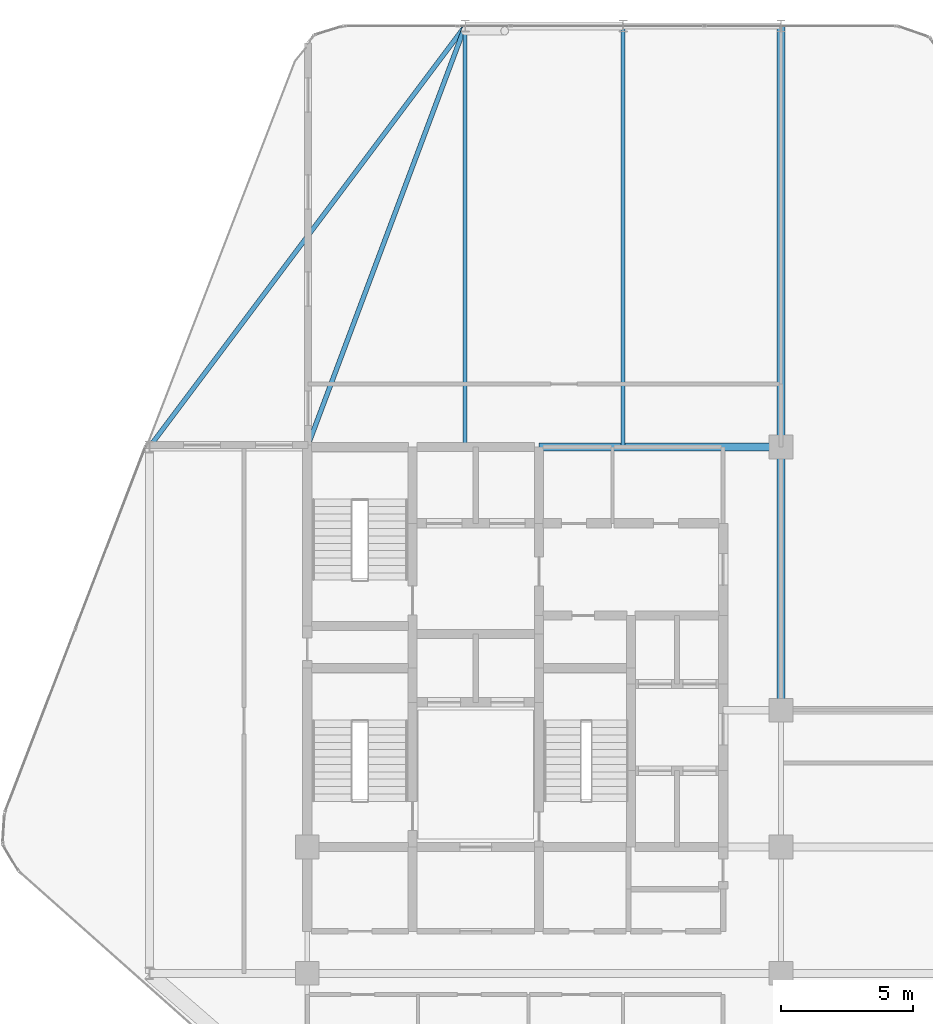
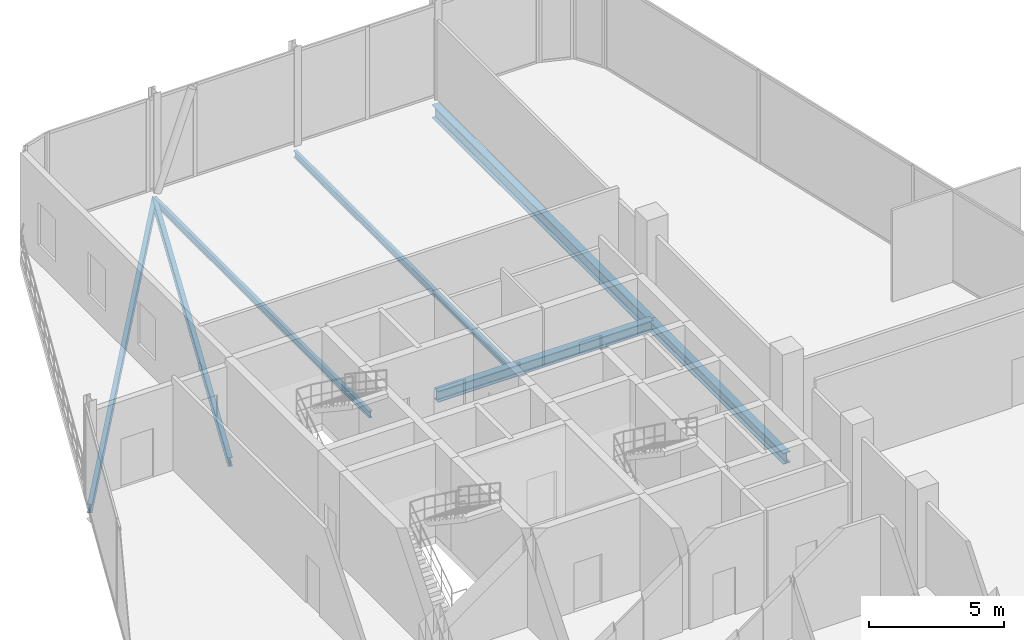
# One storey, part 19 of 31: 7 beams.
"""IFC4 building model written with IfcOpenShell, lengths in metres."""

from ifc_helpers import new_model, si_unit, direction, frame, origin, origin_2d, place, context, subcontext, project, spatial, i_section, extrude, material, material_profile, profile_set, type_object, element, save


model = new_model("IFC4")

# Units and contexts
model_context = context("Model", 3, precision=1e-05, world=origin(), true_north=direction((0.0, 1.0)))
body_context = subcontext(model_context, "Body", "Model", "MODEL_VIEW")
ifc_project = project(units=[si_unit("LENGTHUNIT", "METRE"), si_unit("AREAUNIT", "SQUARE_METRE"), si_unit("VOLUMEUNIT", "CUBIC_METRE"), si_unit("PLANEANGLEUNIT", "RADIAN"), si_unit("MASSUNIT", "GRAM", prefix="KILO")], contexts=[model_context])

# Site, building, storey
site_placement = place(None, origin())
site = spatial("IfcSite", under=ifc_project, at=site_placement, CompositionType="ELEMENT")
building_placement = place(site_placement, origin())
building = spatial("IfcBuilding", under=site, at=building_placement, Name="Keshet Zoharim Tower", CompositionType="ELEMENT")
storey_placement = place(building_placement, frame((0.0, 0.0, 183.89990234375)))
storey = spatial("IfcBuildingStorey", under=building, at=storey_placement, Name="L45", CompositionType="ELEMENT", Elevation=183.89990234375)

# Beams
ifc_material = material(Name="Steel S355", Category="steel")
ifc_material_profile_1 = material_profile(ifc_material, i_section(OverallWidth=0.14990234375, OverallDepth=0.300048828125, WebThickness=0.007080078125, FlangeThickness=0.0107421875, FilletRadius=0.014892578125, at=origin_2d()), Name="IPE300")
ifc_profile_set_1 = profile_set([ifc_material_profile_1], Name="Steel S355")
beam_type_1 = type_object("IfcBeamType", Name="BM-JST-IP300", PredefinedType="JOIST", material=ifc_profile_set_1)
for number, where, z_axis, x_axis, name in (
    (1, (21.0, 37.89990234375, -0.469970703125), (0.0, 1.0, 0.0), (-1.0, 0.0, 0.0), "L45 Secondary Floor Joist J-001"),
    (2, (27.0, 37.89990234375, -0.469970703125), (0.0, 1.0, 0.0), (-1.0, 0.0, 0.0), "L45 Secondary Floor Joist J-002"),
):
    element("IfcBeam", number, at=place(storey_placement, frame(where, z_axis=z_axis, x_axis=x_axis)), inside=storey, type_object=beam_type_1, Name=name, PredefinedType="JOIST", context=body_context, shape_type="SweptSolid", body=[
        extrude(i_section(OverallWidth=0.14990234375, OverallDepth=0.300048828125, WebThickness=0.007080078125, FlangeThickness=0.0107421875, FilletRadius=0.014892578125, at=origin_2d()), origin(), (0.0, 0.0, 1.0), 16.0),
    ])
ifc_material_profile_2 = material_profile(ifc_material, i_section(OverallWidth=0.300048828125, OverallDepth=0.60009765625, WebThickness=0.015380859375, FlangeThickness=0.030029296875, FilletRadius=0.027099609375, at=origin_2d()), Name="HEB600")
ifc_profile_set_2 = profile_set([ifc_material_profile_2], Name="Steel S355")
beam_type_2 = type_object("IfcBeamType", Name="BM-LNG-HB600", PredefinedType="BEAM", material=ifc_profile_set_2)
beam_1_placement = place(storey_placement, frame((33.0, 37.89990234375, -0.619873046875), z_axis=(0.0, 1.0, 0.0), x_axis=(-1.0, 0.0, 0.0)))
element("IfcBeam", 3, at=beam_1_placement, inside=storey, type_object=beam_type_2, Name="L45 Primary Girder Y-011", PredefinedType="BEAM", context=body_context, shape_type="SweptSolid", body=[
    extrude(i_section(OverallWidth=0.300048828125, OverallDepth=0.60009765625, WebThickness=0.015380859375, FlangeThickness=0.030029296875, FilletRadius=0.027099609375, at=origin_2d()), origin(), (0.0, 0.0, 1.0), 16.0),
])
ifc_material_profile_3 = material_profile(ifc_material, i_section(OverallWidth=0.300048828125, OverallDepth=0.5, WebThickness=0.014404296875, FlangeThickness=0.028076171875, FilletRadius=0.027099609375, at=origin_2d()), Name="HEB500")
ifc_profile_set_3 = profile_set([ifc_material_profile_3], Name="Steel S355")
beam_type_3 = type_object("IfcBeamType", Name="BM-MED-HB500", PredefinedType="BEAM", material=ifc_profile_set_3)
beam_2_placement = place(storey_placement, frame((23.800048828125, 37.89990234375, -0.56982421875), z_axis=(1.0, 0.0, 0.0), x_axis=(0.0, 1.0, 0.0)))
element("IfcBeam", 4, at=beam_2_placement, inside=storey, type_object=beam_type_3, Name="L45 Primary Girder X-018", PredefinedType="BEAM", context=body_context, shape_type="SweptSolid", body=[
    extrude(i_section(OverallWidth=0.300048828125, OverallDepth=0.5, WebThickness=0.014404296875, FlangeThickness=0.028076171875, FilletRadius=0.027099609375, at=origin_2d()), origin(), (0.0, 0.0, 1.0), 9.199951171875),
])
beam_3_placement = place(storey_placement, frame((33.0, 27.89990234375, -0.56982421875), z_axis=(0.0, 1.0, 0.0), x_axis=(-1.0, 0.0, 0.0)))
element("IfcBeam", 5, at=beam_3_placement, inside=storey, type_object=beam_type_3, Name="L45 Primary Girder Y-010", PredefinedType="BEAM", context=body_context, shape_type="SweptSolid", body=[
    extrude(i_section(OverallWidth=0.300048828125, OverallDepth=0.5, WebThickness=0.014404296875, FlangeThickness=0.028076171875, FilletRadius=0.027099609375, at=origin_2d()), origin(), (0.0, 0.0, 1.0), 10.0),
])
ifc_material_profile_4 = material_profile(ifc_material, i_section(OverallWidth=0.179931640625, OverallDepth=0.39990234375, WebThickness=0.008544921875, FlangeThickness=0.013427734375, FilletRadius=0.02099609375, at=origin_2d()), Name="IPE400")
ifc_profile_set_4 = profile_set([ifc_material_profile_4], Name="Steel S355")
beam_type_4 = type_object("IfcBeamType", Name="BM-PRI-IP400", PredefinedType="BEAM", material=ifc_profile_set_4)
beam_4_placement = place(storey_placement, frame((9.0, 37.89990234375, -0.52001953125), z_axis=(0.6, 0.8, 0.0), x_axis=(-0.8, 0.6, 0.0)))
element("IfcBeam", 6, at=beam_4_placement, inside=storey, type_object=beam_type_4, Name="L45 Loggia Terrace Support Girder 01", PredefinedType="BEAM", context=body_context, shape_type="SweptSolid", body=[
    extrude(i_section(OverallWidth=0.179931640625, OverallDepth=0.39990234375, WebThickness=0.008544921875, FlangeThickness=0.013427734375, FilletRadius=0.02099609375, at=origin_2d()), origin(), (0.0, 0.0, 1.0), 20.0),
])
beam_5_placement = place(storey_placement, frame((15.0, 37.89990234375, -0.52001953125), z_axis=(0.351123441588, 0.936329177569, 0.0), x_axis=(-0.936329177569, 0.351123441588, 0.0)))
element("IfcBeam", 7, at=beam_5_placement, inside=storey, type_object=beam_type_4, Name="L45 Loggia Terrace Support Girder 02", PredefinedType="BEAM", context=body_context, shape_type="SweptSolid", body=[
    extrude(i_section(OverallWidth=0.179931640625, OverallDepth=0.39990234375, WebThickness=0.008544921875, FlangeThickness=0.013427734375, FilletRadius=0.02099609375, at=origin_2d()), origin(), (0.0, 0.0, 1.0), 17.087890625),
])

save(model, "model.ifc")
